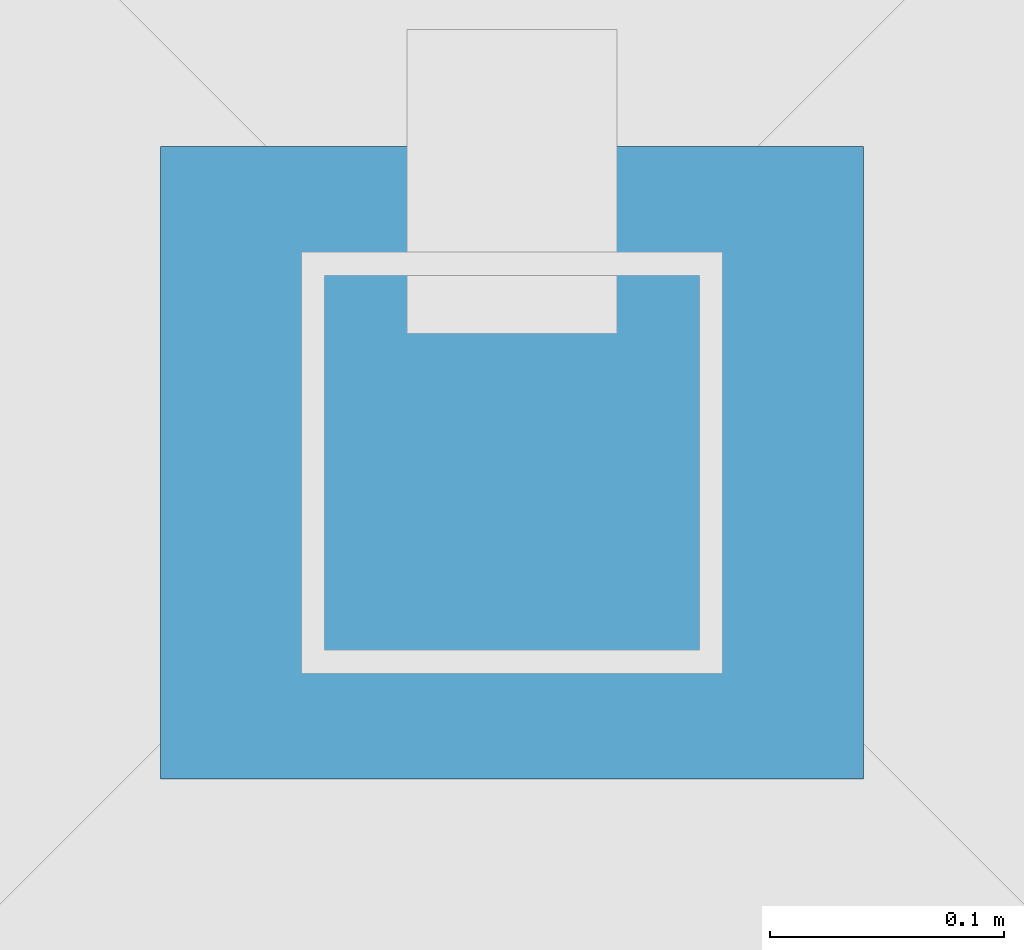
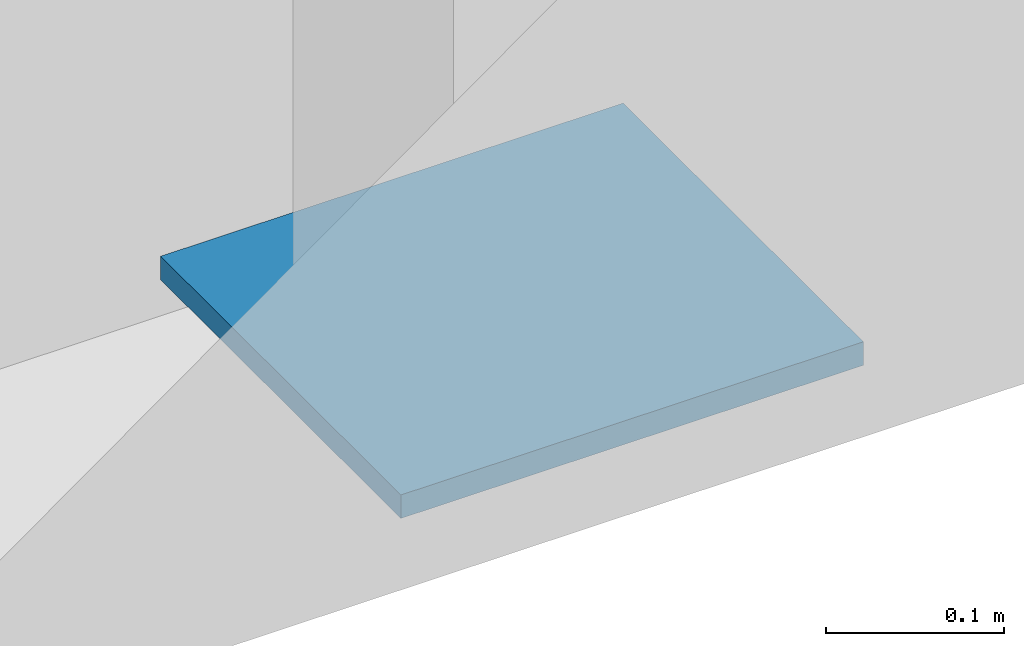
# One storey, part 20 of 33: 1 discrete accessory.
"""IFC4 building model written with IfcOpenShell, lengths in metres."""

from ifc_helpers import new_model, si_unit, direction, frame, origin, origin_2d, place, context, subcontext, project, spatial, rectangle, extrude, material, type_object, element, save


model = new_model("IFC4")

# Units and contexts
model_context = context("Model", 3, precision=1e-05, world=origin(), true_north=direction((0.0, 1.0)))
body_context = subcontext(model_context, "Body", "Model", "MODEL_VIEW")
ifc_project = project(units=[si_unit("LENGTHUNIT", "METRE"), si_unit("AREAUNIT", "SQUARE_METRE"), si_unit("VOLUMEUNIT", "CUBIC_METRE"), si_unit("PLANEANGLEUNIT", "RADIAN"), si_unit("MASSUNIT", "GRAM", prefix="KILO")], contexts=[model_context])

# Site, building, storey
site_placement = place(None, origin())
site = spatial("IfcSite", under=ifc_project, at=site_placement, CompositionType="ELEMENT")
building_placement = place(site_placement, origin())
building = spatial("IfcBuilding", under=site, at=building_placement, Name="Cumevento Cable Car Station", CompositionType="ELEMENT")
storey_placement = place(building_placement, frame((0.0, 0.0, 22.5)))
storey = spatial("IfcBuildingStorey", under=building, at=storey_placement, Name="RF", CompositionType="ELEMENT", Elevation=22.5)

# Discrete accessory
ifc_material = material(Name="Steel ASTM A572 Grade 50", Category="steel")
discrete_accessory_type = type_object("IfcDiscreteAccessoryType", Name="Cast-in Embed Plate CE-01", PredefinedType="BRACKET", material=ifc_material)
discrete_accessory_placement = place(storey_placement, frame((16.0, 33.0, -0.01513671875), z_axis=(0.0, 0.0, 1.0), x_axis=(1.0, 0.0, 0.0)))
element("IfcDiscreteAccessory", 1, at=discrete_accessory_placement, inside=storey, type_object=discrete_accessory_type, Name="Cast-in Embed Plate #6", PredefinedType="BRACKET", context=body_context, shape_type="SweptSolid", body=[
    extrude(rectangle(XDim=0.300048828125, YDim=0.27001953125, at=origin_2d()), origin(), (0.0, 0.0, 1.0), 0.01611328125),
])

save(model, "model.ifc")
